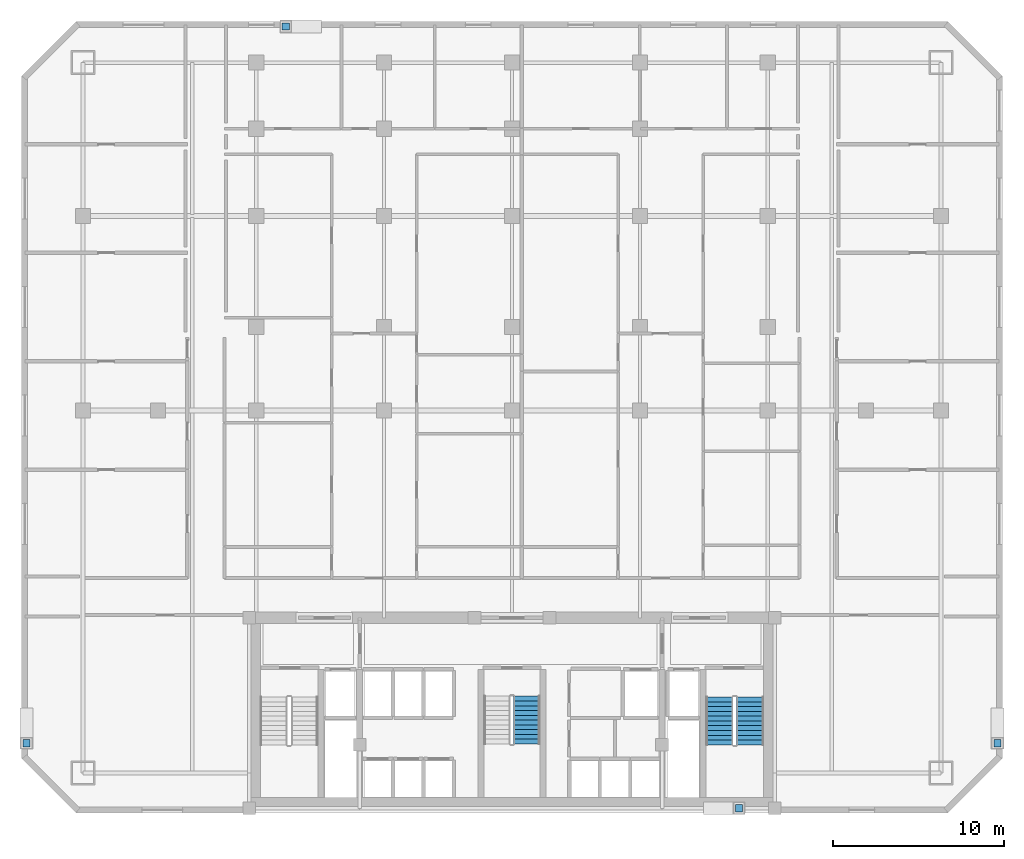
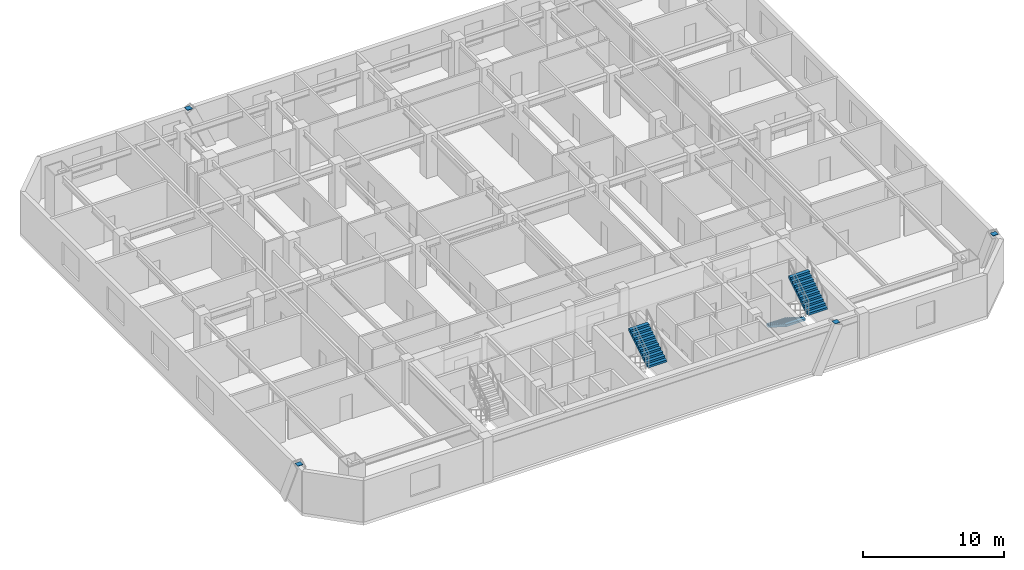
# One storey, part 8 of 9: 4 discrete accessories, 3 stair flights, 2 elements without a shape of their own.
"""IFC4 building model written with IfcOpenShell, lengths in metres."""

import ifcopenshell
import ifcopenshell.guid

model = None  # the IFC model being written
_history = None  # IfcOwnerHistory: only IFC2X3 demands one
_inside = {}  # id of a spatial element -> (the spatial element, [elements in it])
_under = {}  # id of a project, library or spatial element -> (it, [spatial elements below it])
_declared = {}  # id of a project -> (the project, [libraries it declares])
_typed = {}  # id of a type object -> (the type object, [elements of that type])
_made_of = {}  # id of a material, layer set ... -> (it, [elements and type objects made of it])


def new_model(schema):
    """Start an empty IFC model of exactly this schema.

    Asked for "IFC4X3", IfcOpenShell would pick the latest addendum, in which some entities
    have other attributes; the version numbers below select the first issue.
    IFC2X3 requires an IfcOwnerHistory on every rooted entity: one is made here for all.
    """
    global model, _history
    if schema == "IFC4X3":
        model = ifcopenshell.file(schema_version=(4, 3, 0, 0))
    else:
        model = ifcopenshell.file(schema=schema)
    _inside.clear()
    _under.clear()
    _declared.clear()
    _typed.clear()
    _made_of.clear()
    _history = None
    if model.schema == "IFC2X3":
        org = make("IfcOrganization", Name="unknown")
        user = make(
            "IfcPersonAndOrganization",
            ThePerson=make("IfcPerson", FamilyName="unknown"),
            TheOrganization=org,
        )
        app = make(
            "IfcApplication",
            ApplicationDeveloper=org,
            Version="unknown",
            ApplicationFullName="unknown",
            ApplicationIdentifier="unknown",
        )
        _history = make(
            "IfcOwnerHistory",
            OwningUser=user,
            OwningApplication=app,
            ChangeAction="ADDED",
            CreationDate=0,
        )
    return model


def make(cls, **values):
    """One entity of the class cls with the attributes given. An attribute that is None is left unset."""
    return model.create_entity(
        cls, **{name: value for name, value in values.items() if value is not None}
    )


def rooted(cls, **values):
    """An entity with a GlobalId (a new one), such as an element, a storey or a relation."""
    return make(cls, GlobalId=ifcopenshell.guid.new(), OwnerHistory=_history, **values)


def si_unit(unit_type, name, prefix=None):
    """IfcSIUnit, for example si_unit("LENGTHUNIT", "METRE", prefix="MILLI")."""
    return make("IfcSIUnit", UnitType=unit_type, Prefix=prefix, Name=name)


def assignment(units):
    """IfcUnitAssignment: the units of a project."""
    return None if units is None else make("IfcUnitAssignment", Units=units)


def point(xyz):
    """IfcCartesianPoint."""
    return None if xyz is None else make("IfcCartesianPoint", Coordinates=xyz)


def direction(xyz):
    """IfcDirection."""
    return None if xyz is None else make("IfcDirection", DirectionRatios=xyz)


def frame(location, z_axis=None, x_axis=None):
    """IfcAxis2Placement3D, a coordinate frame: its origin and axes. An axis left out is left unset."""
    return make(
        "IfcAxis2Placement3D",
        Location=point(location),
        Axis=direction(z_axis),
        RefDirection=direction(x_axis),
    )


def frame_2d(location, x_axis=None):
    """IfcAxis2Placement2D, a coordinate frame in the plane: its origin and x axis."""
    return make(
        "IfcAxis2Placement2D", Location=point(location), RefDirection=direction(x_axis)
    )


def origin():
    """The frame at (0, 0, 0) with its axes left unset."""
    return frame((0.0, 0.0, 0.0))


def origin_2d():
    """The frame at (0, 0) in the plane with its x axis left unset."""
    return frame_2d((0.0, 0.0))


def place(relative_to, where):
    """IfcLocalPlacement: puts the frame where relative to a parent placement (None: the world)."""
    return make(
        "IfcLocalPlacement", PlacementRelTo=relative_to, RelativePlacement=where
    )


def context(
    kind, dimensions, precision=None, world=None, true_north=None, identifier=None
):
    """IfcGeometricRepresentationContext, for example the 3D "Model" context."""
    return make(
        "IfcGeometricRepresentationContext",
        ContextIdentifier=identifier,
        ContextType=kind,
        CoordinateSpaceDimension=dimensions,
        Precision=precision,
        WorldCoordinateSystem=world,
        TrueNorth=true_north,
    )


def subcontext(parent, identifier, kind, view, scale=None):
    """IfcGeometricRepresentationSubContext, for example "Body" below "Model"."""
    return make(
        "IfcGeometricRepresentationSubContext",
        ContextIdentifier=identifier,
        ContextType=kind,
        ParentContext=parent,
        TargetScale=scale,
        TargetView=view,
    )


def project(units=None, contexts=None):
    """IfcProject with its units and contexts."""
    return rooted(
        "IfcProject",
        Name="project",
        RepresentationContexts=contexts,
        UnitsInContext=assignment(units),
    )


def spatial(cls, under=None, at=None, **own):
    """A site, building, storey or space (cls), placed at a placement, below another one or the project."""
    s = rooted(cls, ObjectPlacement=at, **own)
    if under is not None:
        _under.setdefault(under.id(), (under, []))[1].append(s)
    return s


def polyline(points):
    """IfcPolyline through the points."""
    return make("IfcPolyline", Points=[point(p) for p in points])


def profile(cls, at=None, kind="AREA", **sizes):
    """A parametric profile (cls). Its sizes go by their IFC names, for example OverallWidth=200.0."""
    return make(cls, ProfileType=kind, Position=at, **sizes)


def rectangle(**sizes):
    """IfcRectangleProfileDef."""
    return profile("IfcRectangleProfileDef", **sizes)


def outline(outer, holes=None, kind="AREA"):
    """IfcArbitraryClosedProfileDef: a profile drawn as a closed curve; with holes, ...WithVoids."""
    if holes is None:
        return make("IfcArbitraryClosedProfileDef", ProfileType=kind, OuterCurve=outer)
    return make(
        "IfcArbitraryProfileDefWithVoids",
        ProfileType=kind,
        OuterCurve=outer,
        InnerCurves=holes,
    )


def extrude(swept, where, along, depth):
    """IfcExtrudedAreaSolid: the profile swept, set in the frame where, extruded along a direction by depth."""
    return make(
        "IfcExtrudedAreaSolid",
        SweptArea=swept,
        Position=where,
        ExtrudedDirection=direction(along),
        Depth=depth,
    )


def shape(context_of_items, identifier, shape_type, items):
    """IfcShapeRepresentation: the items that make up one representation, for example the "Body"."""
    return make(
        "IfcShapeRepresentation",
        ContextOfItems=context_of_items,
        RepresentationIdentifier=identifier,
        RepresentationType=shape_type,
        Items=items,
    )


def material(Name=None, Category=None):
    """IfcMaterial."""
    return make("IfcMaterial", Name=Name, Category=Category)


def made_of(thing, what):
    """Note that an element or type object is made of a material, layer set ...; save() writes the relation."""
    if what is not None:
        _made_of.setdefault(what.id(), (what, []))[1].append(thing)
    return thing


def type_object(cls, material=None, **own):
    """A type object (cls), such as IfcWallType, which elements share."""
    return made_of(rooted(cls, **own), material)


def element(
    cls,
    number,
    at=None,
    inside=None,
    cuts=None,
    type_object=None,
    material=None,
    context=None,
    identifier="Body",
    shape_type=None,
    held_by="IfcProductDefinitionShape",
    body=None,
    shapes=None,
    **own,
):
    """One element of the class cls, such as IfcWall. Its Tag is "e" and its number.

    at: its placement. inside: the storey or other place that contains it. cuts: it is an
    opening in that element (IfcRelVoidsElement). A single representation is given by context,
    identifier, shape_type and body (its items); several are given by shapes. held_by: the class
    of the entity that holds the representations. save() writes the other relations.
    """
    e = rooted(cls, Tag="e%d" % number, ObjectPlacement=at, **own)
    if body is not None:
        shapes = [shape(context, identifier, shape_type, body)]
    if shapes is not None:
        e.Representation = make(held_by, Representations=shapes)
    if inside is not None:
        _inside.setdefault(inside.id(), (inside, []))[1].append(e)
    if cuts is not None:
        rooted(
            "IfcRelVoidsElement", RelatingBuildingElement=cuts, RelatedOpeningElement=e
        )
    if type_object is not None:
        _typed.setdefault(type_object.id(), (type_object, []))[1].append(e)
    return made_of(e, material)


def aggregate(whole, parts):
    """IfcRelAggregates: a whole, such as a stair, and the parts it consists of."""
    return rooted("IfcRelAggregates", RelatingObject=whole, RelatedObjects=parts)


def save(model, path):
    """Write the relations noted so far, then the file.

    IfcRelAggregates (storeys below a building ...), IfcRelContainedInSpatialStructure (elements
    in a storey), IfcRelDefinesByType, IfcRelAssociatesMaterial and IfcRelDeclares: one each for
    every whole, place, type object, material and project.
    """
    for whole, parts in _under.values():
        aggregate(whole, parts)
    for where, things in _inside.values():
        rooted(
            "IfcRelContainedInSpatialStructure",
            RelatedElements=things,
            RelatingStructure=where,
        )
    for kind, things in _typed.values():
        rooted("IfcRelDefinesByType", RelatedObjects=things, RelatingType=kind)
    for what, things in _made_of.values():
        rooted("IfcRelAssociatesMaterial", RelatedObjects=things, RelatingMaterial=what)
    for by, libraries in _declared.values():
        rooted("IfcRelDeclares", RelatingContext=by, RelatedDefinitions=libraries)
    model.write(path)


model = new_model("IFC4")

# Units and contexts
model_context = context("Model", 3, precision=1e-05, world=origin(), true_north=direction((0.0, 1.0)))
body_context = subcontext(model_context, "Body", "Model", "MODEL_VIEW")
ifc_project = project(units=[si_unit("LENGTHUNIT", "METRE"), si_unit("AREAUNIT", "SQUARE_METRE"), si_unit("VOLUMEUNIT", "CUBIC_METRE"), si_unit("PLANEANGLEUNIT", "RADIAN"), si_unit("MASSUNIT", "GRAM", prefix="KILO")], contexts=[model_context])

# Site, building, storey
site_placement = place(None, origin())
site = spatial("IfcSite", under=ifc_project, at=site_placement, CompositionType="ELEMENT")
building_placement = place(site_placement, origin())
building = spatial("IfcBuilding", under=site, at=building_placement, Name="Ventersveld Concourse Tower", CompositionType="ELEMENT")
storey_placement = place(building_placement, frame((0.0, 0.0, 84.89990234375)))
storey = spatial("IfcBuildingStorey", under=building, at=storey_placement, Name="L20", CompositionType="ELEMENT", Elevation=84.89990234375)

# Stair, stair flight
ifc_material_1 = material(Name="Concrete C50/60", Category="concrete")
stair_type_1 = type_object("IfcStairType", Name="ST-DOG-155", PredefinedType="HALF_TURN_STAIR", material=ifc_material_1)
stair_1_placement = place(storey_placement, origin())
stair_1 = element("IfcStair", 1, at=stair_1_placement, inside=storey, type_object=stair_type_1, Name="L20 Protected Central Core Escape Stair ST-03", PredefinedType="HALF_TURN_STAIR")
stair_flight_type_1 = type_object("IfcStairFlightType", Name="STF-RC-155", PredefinedType="STRAIGHT", material=ifc_material_1)
stair_flight_1_placement = place(storey_placement, frame((29.625, 4.050048828125, 1.925048828125), z_axis=(0.0, 0.0, 1.0), x_axis=(0.0, 1.0, 0.0)))
stair_flight_1 = element("IfcStairFlight", 2, at=stair_flight_1_placement, type_object=stair_flight_type_1, Name="ST-03 flight 2", NumberOfRisers=11, NumberOfTreads=10, PredefinedType="STRAIGHT", RiserHeight=0.175, TreadLength=0.28, context=body_context, shape_type="SweptSolid", body=[
    extrude(outline(polyline([(0.0, 0.0), (0.0, 0.175048828125), (0.280029296875, 0.175048828125), (0.280029296875, 0.35009765625), (0.56005859375, 0.35009765625), (0.56005859375, 0.52490234375), (0.840087890625, 0.52490234375), (0.840087890625, 0.699951171875), (1.1201171875, 0.699951171875), (1.1201171875, 0.875), (1.39990234375, 0.875), (1.39990234375, 1.050048828125), (1.679931640625, 1.050048828125), (1.679931640625, 1.22509765625), (1.9599609375, 1.22509765625), (1.9599609375, 1.39990234375), (2.239990234375, 1.39990234375), (2.239990234375, 1.574951171875), (2.52001953125, 1.574951171875), (2.52001953125, 1.75), (2.800048828125, 1.75), (2.800048828125, 1.925048828125), (2.800048828125, 1.5732421875), (0.28271484375, 0.0), (0.0, 0.0)])), frame((0.0, 0.77490234375, 0.0), z_axis=(0.0, -1.0, 0.0), x_axis=(1.0, 0.0, 0.0)), (0.0, 0.0, 1.0), 1.550048828125),
])
aggregate(stair_1, [stair_flight_1])

# Stair, stair flights
stair_type_2 = type_object("IfcStairType", Name="ST-DOG-160", PredefinedType="HALF_TURN_STAIR", material=ifc_material_1)
stair_2_placement = place(storey_placement, origin())
stair_2 = element("IfcStair", 3, at=stair_2_placement, inside=storey, type_object=stair_type_2, Name="L20 Protected Tower Escape Stair ST-02", PredefinedType="HALF_TURN_STAIR")
stair_flight_type_2 = type_object("IfcStairFlightType", Name="STF-RC-160", PredefinedType="STRAIGHT", material=ifc_material_1)
stair_flight_2_placement = place(storey_placement, frame((40.919921875, 6.800048828125, 0.0), z_axis=(0.0, 0.0, 1.0), x_axis=(0.0, -1.0, 0.0)))
stair_flight_2 = element("IfcStairFlight", 4, at=stair_flight_2_placement, type_object=stair_flight_type_2, Name="ST-02 flight 1", NumberOfRisers=11, NumberOfTreads=10, PredefinedType="STRAIGHT", RiserHeight=0.175, TreadLength=0.28, context=body_context, shape_type="SweptSolid", body=[
    extrude(outline(polyline([(0.0, 0.0), (0.0, 0.175048828125), (0.280029296875, 0.175048828125), (0.280029296875, 0.35009765625), (0.56005859375, 0.35009765625), (0.56005859375, 0.52490234375), (0.840087890625, 0.52490234375), (0.840087890625, 0.699951171875), (1.1201171875, 0.699951171875), (1.1201171875, 0.875), (1.39990234375, 0.875), (1.39990234375, 1.050048828125), (1.679931640625, 1.050048828125), (1.679931640625, 1.22509765625), (1.9599609375, 1.22509765625), (1.9599609375, 1.39990234375), (2.239990234375, 1.39990234375), (2.239990234375, 1.574951171875), (2.52001953125, 1.574951171875), (2.52001953125, 1.75), (2.800048828125, 1.75), (2.800048828125, 1.925048828125), (2.800048828125, 1.5732421875), (0.28271484375, 0.0), (0.0, 0.0)])), frame((0.0, 0.800048828125, 0.0), z_axis=(0.0, -1.0, 0.0), x_axis=(1.0, 0.0, 0.0)), (0.0, 0.0, 1.0), 1.60009765625),
])
stair_flight_3_placement = place(storey_placement, frame((42.719970703125, 4.0, 1.925048828125), z_axis=(0.0, 0.0, 1.0), x_axis=(0.0, 1.0, 0.0)))
stair_flight_3 = element("IfcStairFlight", 5, at=stair_flight_3_placement, type_object=stair_flight_type_2, Name="ST-02 flight 2", NumberOfRisers=11, NumberOfTreads=10, PredefinedType="STRAIGHT", RiserHeight=0.175, TreadLength=0.28, context=body_context, shape_type="SweptSolid", body=[
    extrude(outline(polyline([(0.0, 0.0), (0.0, 0.175048828125), (0.280029296875, 0.175048828125), (0.280029296875, 0.35009765625), (0.56005859375, 0.35009765625), (0.56005859375, 0.52490234375), (0.840087890625, 0.52490234375), (0.840087890625, 0.699951171875), (1.1201171875, 0.699951171875), (1.1201171875, 0.875), (1.39990234375, 0.875), (1.39990234375, 1.050048828125), (1.679931640625, 1.050048828125), (1.679931640625, 1.22509765625), (1.9599609375, 1.22509765625), (1.9599609375, 1.39990234375), (2.239990234375, 1.39990234375), (2.239990234375, 1.574951171875), (2.52001953125, 1.574951171875), (2.52001953125, 1.75), (2.800048828125, 1.75), (2.800048828125, 1.925048828125), (2.800048828125, 1.5732421875), (0.28271484375, 0.0), (0.0, 0.0)])), frame((0.0, 0.800048828125, 0.0), z_axis=(0.0, -1.0, 0.0), x_axis=(1.0, 0.0, 0.0)), (0.0, 0.0, 1.0), 1.60009765625),
])
aggregate(stair_2, [stair_flight_2, stair_flight_3])

# Discrete accessories
ifc_material_2 = material(Name="Structural steel S355J2", Category="steel")
discrete_accessory_type = type_object("IfcDiscreteAccessoryType", Name="CONN-BRACE-ECP1", PredefinedType="BRACKET", material=ifc_material_2)
for number, where, z_axis, x_axis, name in (
    (6, (15.489501953125, 46.1201171875, 3.580078125), (0.0, 0.0, 1.0), (1.0, 0.0, 0.0), "L20 Steel Brace End Connection Plate ECP1-0251"),
    (7, (42.060546875, 0.280029296875, 3.580078125), (0.0, 0.0, 1.0), (1.0, 0.0, 0.0), "L20 Steel Brace End Connection Plate ECP1-0255"),
    (8, (0.280029296875, 4.089599609375, 3.580078125), (0.0, 0.0, 1.0), (1.0, 0.0, 0.0), "L20 Steel Brace End Connection Plate ECP1-0259"),
    (9, (57.219970703125, 4.089599609375, 3.580078125), (0.0, 0.0, 1.0), (1.0, 0.0, 0.0), "L20 Steel Brace End Connection Plate ECP1-0263"),
):
    element("IfcDiscreteAccessory", number, at=place(storey_placement, frame(where, z_axis=z_axis, x_axis=x_axis)), inside=storey, type_object=discrete_accessory_type, Name=name, PredefinedType="BRACKET", context=body_context, shape_type="SweptSolid", body=[
        extrude(rectangle(XDim=0.419921875, YDim=0.419921875, at=origin_2d()), origin(), (0.0, 0.0, 1.0), 0.0400390625),
    ])

save(model, "model.ifc")
